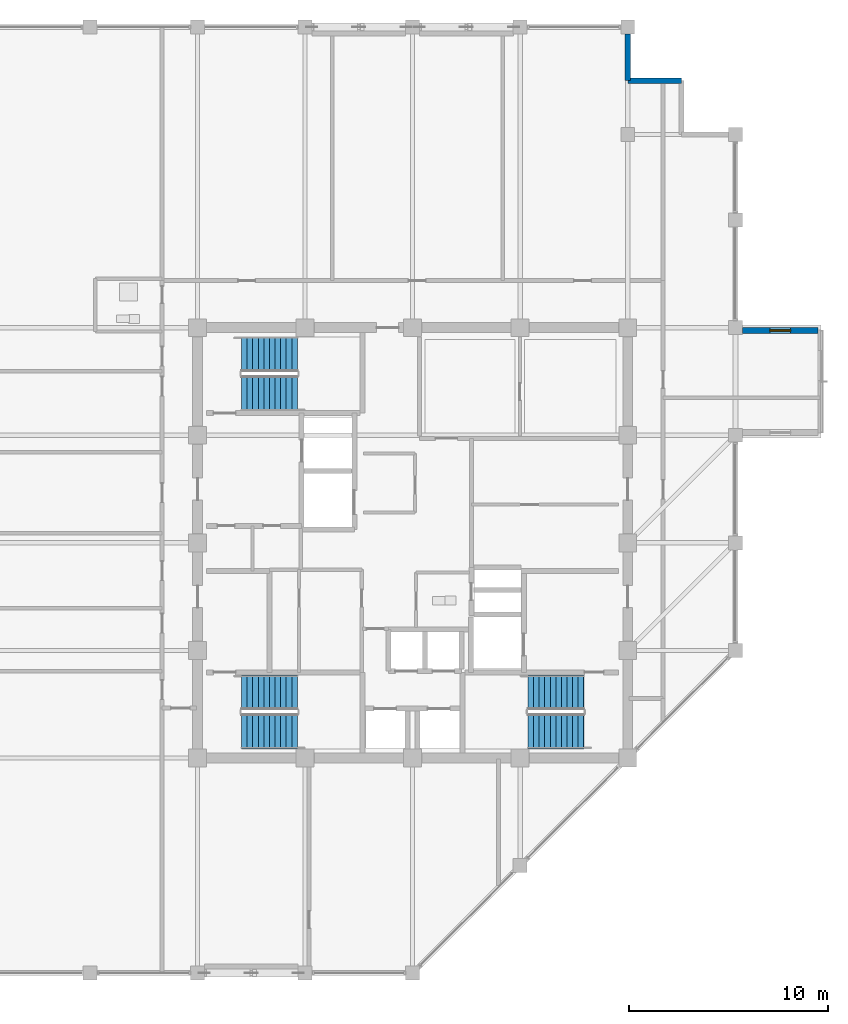
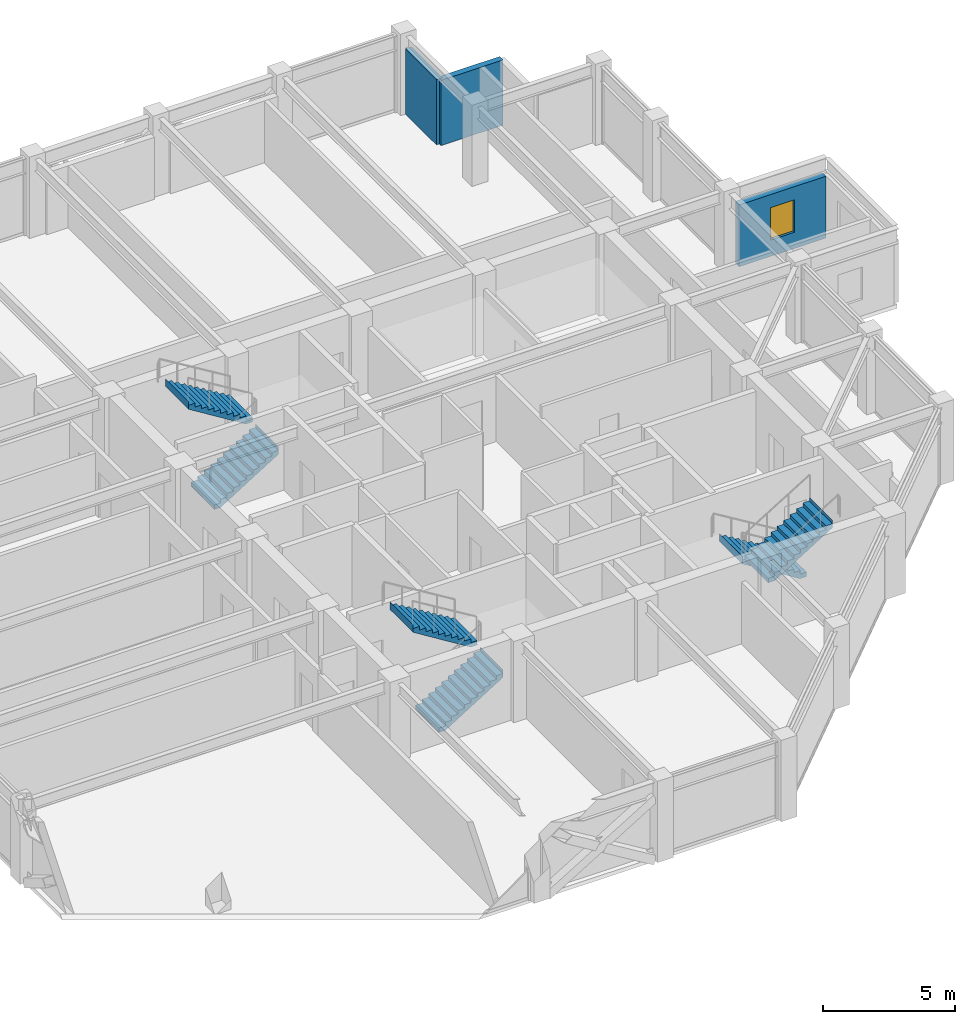
# One storey, part 28 of 31: 6 stair flights, 3 walls, 1 window, 1 opening, 3 elements without a shape of their own.
"""IFC4 building model written with IfcOpenShell, lengths in metres."""

from ifc_helpers import new_model, si_unit, direction, frame, frame_2d, origin, place, context, subcontext, project, spatial, polyline, rectangle, outline, extrude, material, layer, layer_set, type_object, element, fill, aggregate, save


model = new_model("IFC4")

# Units and contexts
model_context = context("Model", 3, precision=1e-05, world=origin(), true_north=direction((0.0, 1.0)))
body_context = subcontext(model_context, "Body", "Model", "MODEL_VIEW")
ifc_project = project(units=[si_unit("LENGTHUNIT", "METRE"), si_unit("AREAUNIT", "SQUARE_METRE"), si_unit("VOLUMEUNIT", "CUBIC_METRE"), si_unit("PLANEANGLEUNIT", "RADIAN"), si_unit("MASSUNIT", "GRAM", prefix="KILO")], contexts=[model_context])

# Site, building, storey
site_placement = place(None, origin())
site = spatial("IfcSite", under=ifc_project, at=site_placement, CompositionType="ELEMENT")
building_placement = place(site_placement, origin())
building = spatial("IfcBuilding", under=site, at=building_placement, Name="Surkhivell Harbour Commons", CompositionType="ELEMENT")
storey_placement = place(building_placement, frame((0.0, 0.0, 266.25)))
storey = spatial("IfcBuildingStorey", under=building, at=storey_placement, Name="L69", CompositionType="ELEMENT", Elevation=266.25)

# Walls
ifc_material_1 = material(Name="Pale-metal insulated precast concrete C45/55", Category="concrete")
ifc_layer_1 = layer(ifc_material_1, 0.260009765625)
ifc_layer_set_1 = layer_set([ifc_layer_1], Name="Pale-metal insulated precast concrete C45/55")
wall_type_1 = type_object("IfcWallType", Name="WAL-EXT-MTL260", PredefinedType="STANDARD", material=ifc_layer_set_1)
wall_1_placement = place(storey_placement, frame((13.5, 23.199951171875, 0.0), z_axis=(0.0, 0.0, 1.0), x_axis=(-1.0, 0.0, 0.0)))
element("IfcWall", 1, at=wall_1_placement, inside=storey, type_object=wall_type_1, Name="L69 Serrated Corner Facade Wall 05", PredefinedType="STANDARD", context=body_context, shape_type="SweptSolid", body=[
    extrude(rectangle(XDim=2.699951171875, YDim=0.260009765625, at=frame_2d((1.35009765625, 0.0))), origin(), (0.0, 0.0, 1.0), 3.012939453125),
])
wall_2_placement = place(storey_placement, frame((10.800048828125, 23.199951171875, 0.0), z_axis=(0.0, 0.0, 1.0), x_axis=(0.0, 1.0, 0.0)))
element("IfcWall", 2, at=wall_2_placement, inside=storey, type_object=wall_type_1, Name="L69 Serrated Corner Facade Wall 06", PredefinedType="STANDARD", context=body_context, shape_type="SweptSolid", body=[
    extrude(rectangle(XDim=2.35205078125, YDim=0.260009765625, at=frame_2d((1.176025390625, 0.0))), origin(), (0.0, 0.0, 1.0), 3.012939453125),
])

# Wall, opening, window
ifc_material_2 = material(Name="Terracotta-clad reinforced concrete C45/55", Category="masonry")
ifc_layer_2 = layer(ifc_material_2, 0.280029296875)
ifc_layer_set_2 = layer_set([ifc_layer_2], Name="Terracotta-clad reinforced concrete C45/55")
wall_type_2 = type_object("IfcWallType", Name="WAL-EXT-TER280", PredefinedType="STANDARD", material=ifc_layer_set_2)
wall_3_placement = place(storey_placement, frame((16.553955078125, 10.659912109375, 0.0), z_axis=(0.0, 0.0, 1.0), x_axis=(1.0, 0.0, 0.0)))
wall_3 = element("IfcWall", 3, at=wall_3_placement, inside=storey, type_object=wall_type_2, Name="L69 Coloured Box Return Wall 01N", PredefinedType="STANDARD", context=body_context, shape_type="SweptSolid", body=[
    extrude(rectangle(XDim=3.80615234375, YDim=0.280029296875, at=frame_2d((1.903076171875, 0.0))), origin(), (0.0, 0.0, 1.0), 2.85693359375),
])
opening_placement = place(wall_3_placement, frame((1.3779296875, 0.0, 0.75)))
opening = element("IfcOpeningElement", 4, at=opening_placement, cuts=wall_3, Name="Opening WN-11", PredefinedType="OPENING", context=body_context, shape_type="SweptSolid", body=[
    extrude(rectangle(XDim=1.050048828125, YDim=1.5, at=frame_2d((0.52490234375, 0.75))), frame((0.0, 0.14990234375, 0.0), z_axis=(0.0, -1.0, 0.0), x_axis=(1.0, 0.0, 0.0)), (0.0, 0.0, 1.0), 0.300048828125),
])
ifc_material_3 = material(Name="Thermal-break aluminium frame and double low-E glazing", Category="aluminium")
window_type = type_object("IfcWindowType", Name="WIN-SER-1050x1500", PartitioningType="SINGLE_PANEL", PredefinedType="WINDOW", material=ifc_material_3)
window_placement = place(opening_placement, origin())
window = element("IfcWindow", 5, at=window_placement, inside=storey, type_object=window_type, Name="L69 Coloured Box Return Window 01N", OverallHeight=1.5, OverallWidth=1.050048828125, PartitioningType="SINGLE_PANEL", PredefinedType="WINDOW", context=body_context, shape_type="SweptSolid", body=[
    extrude(rectangle(XDim=1.050048828125, YDim=1.5, at=frame_2d((0.52490234375, 0.75))), frame((0.0, 0.030029296875, 0.0), z_axis=(0.0, -1.0, 0.0), x_axis=(1.0, 0.0, 0.0)), (0.0, 0.0, 1.0), 0.06005859375),
])
fill(opening, window)

# Stair, stair flights
ifc_material_4 = material(Name="Precast concrete C45/55", Category="concrete")
stair_type = type_object("IfcStairType", Name="STR-DL-375", PredefinedType="HALF_TURN_STAIR", material=ifc_material_4)
stair_1_placement = place(storey_placement, origin())
stair_1 = element("IfcStair", 6, at=stair_1_placement, inside=storey, type_object=stair_type, Name="L69 Core Exit Stair ST1", PredefinedType="HALF_TURN_STAIR")
stair_flight_type = type_object("IfcStairFlightType", Name="STF-DL-375", PredefinedType="STRAIGHT", material=ifc_material_4)
stair_flight_1_placement = place(storey_placement, frame((-8.590087890625, 7.514892578125, 0.0), z_axis=(0.0, 0.0, 1.0), x_axis=(1.0, 0.0, 0.0)))
stair_flight_1 = element("IfcStairFlight", 7, at=stair_flight_1_placement, type_object=stair_flight_type, Name="ST1 flight 1", NumberOfRisers=11, NumberOfTreads=10, PredefinedType="STRAIGHT", RiserHeight=0.170454545, TreadLength=0.28, context=body_context, shape_type="SweptSolid", body=[
    extrude(outline(polyline([(-0.0029296875, -0.034912109375), (-0.0029296875, 0.0), (0.0, 0.0), (0.0, 0.17041015625), (0.280029296875, 0.17041015625), (0.280029296875, 0.3408203125), (0.56005859375, 0.3408203125), (0.56005859375, 0.511474609375), (0.840087890625, 0.511474609375), (0.840087890625, 0.681884765625), (1.1201171875, 0.681884765625), (1.1201171875, 0.852294921875), (1.39990234375, 0.852294921875), (1.39990234375, 1.022705078125), (1.679931640625, 1.022705078125), (1.679931640625, 1.193115234375), (1.9599609375, 1.193115234375), (1.9599609375, 1.363525390625), (2.239990234375, 1.363525390625), (2.239990234375, 1.5341796875), (2.52001953125, 1.5341796875), (2.52001953125, 1.70458984375), (2.800048828125, 1.70458984375), (2.800048828125, 1.875), (2.802978515625, 1.875), (2.802978515625, 1.529052734375), (0.288330078125, -0.034912109375), (-0.0029296875, -0.034912109375)])), frame((0.0, 0.875, 0.0), z_axis=(0.0, -1.0, 0.0), x_axis=(1.0, 0.0, 0.0)), (0.0, 0.0, 1.0), 1.75),
])
stair_flight_2_placement = place(storey_placement, frame((-5.7900390625, 9.465087890625, 1.875), z_axis=(0.0, 0.0, 1.0), x_axis=(-1.0, 0.0, 0.0)))
stair_flight_2 = element("IfcStairFlight", 8, at=stair_flight_2_placement, type_object=stair_flight_type, Name="ST1 flight 2", NumberOfRisers=11, NumberOfTreads=10, PredefinedType="STRAIGHT", RiserHeight=0.170454545, TreadLength=0.28, context=body_context, shape_type="SweptSolid", body=[
    extrude(outline(polyline([(-0.0029296875, -0.034912109375), (-0.0029296875, 0.0), (0.0, 0.0), (0.0, 0.17041015625), (0.280029296875, 0.17041015625), (0.280029296875, 0.3408203125), (0.56005859375, 0.3408203125), (0.56005859375, 0.511474609375), (0.840087890625, 0.511474609375), (0.840087890625, 0.681884765625), (1.1201171875, 0.681884765625), (1.1201171875, 0.852294921875), (1.39990234375, 0.852294921875), (1.39990234375, 1.022705078125), (1.679931640625, 1.022705078125), (1.679931640625, 1.193115234375), (1.9599609375, 1.193115234375), (1.9599609375, 1.363525390625), (2.239990234375, 1.363525390625), (2.239990234375, 1.5341796875), (2.52001953125, 1.5341796875), (2.52001953125, 1.70458984375), (2.800048828125, 1.70458984375), (2.800048828125, 1.875), (2.802978515625, 1.875), (2.802978515625, 1.529052734375), (0.288330078125, -0.034912109375), (-0.0029296875, -0.034912109375)])), frame((0.0, 0.875, 0.0), z_axis=(0.0, -1.0, 0.0), x_axis=(1.0, 0.0, 0.0)), (0.0, 0.0, 1.0), 1.75),
])
aggregate(stair_1, [stair_flight_1, stair_flight_2])

stair_2_placement = place(storey_placement, origin())
stair_2 = element("IfcStair", 9, at=stair_2_placement, inside=storey, type_object=stair_type, Name="L69 Core Exit Stair ST2", PredefinedType="HALF_TURN_STAIR")
stair_flight_3_placement = place(storey_placement, frame((8.590087890625, -7.514892578125, 0.0), z_axis=(0.0, 0.0, 1.0), x_axis=(-1.0, 0.0, 0.0)))
stair_flight_3 = element("IfcStairFlight", 10, at=stair_flight_3_placement, type_object=stair_flight_type, Name="ST2 flight 1", NumberOfRisers=11, NumberOfTreads=10, PredefinedType="STRAIGHT", RiserHeight=0.170454545, TreadLength=0.28, context=body_context, shape_type="SweptSolid", body=[
    extrude(outline(polyline([(-0.0029296875, -0.034912109375), (-0.0029296875, 0.0), (0.0, 0.0), (0.0, 0.17041015625), (0.280029296875, 0.17041015625), (0.280029296875, 0.3408203125), (0.56005859375, 0.3408203125), (0.56005859375, 0.511474609375), (0.840087890625, 0.511474609375), (0.840087890625, 0.681884765625), (1.1201171875, 0.681884765625), (1.1201171875, 0.852294921875), (1.39990234375, 0.852294921875), (1.39990234375, 1.022705078125), (1.679931640625, 1.022705078125), (1.679931640625, 1.193115234375), (1.9599609375, 1.193115234375), (1.9599609375, 1.363525390625), (2.239990234375, 1.363525390625), (2.239990234375, 1.5341796875), (2.52001953125, 1.5341796875), (2.52001953125, 1.70458984375), (2.800048828125, 1.70458984375), (2.800048828125, 1.875), (2.802978515625, 1.875), (2.802978515625, 1.529052734375), (0.288330078125, -0.034912109375), (-0.0029296875, -0.034912109375)])), frame((0.0, 0.875, 0.0), z_axis=(0.0, -1.0, 0.0), x_axis=(1.0, 0.0, 0.0)), (0.0, 0.0, 1.0), 1.75),
])
stair_flight_4_placement = place(storey_placement, frame((5.7900390625, -9.465087890625, 1.875), z_axis=(0.0, 0.0, 1.0), x_axis=(1.0, 0.0, 0.0)))
stair_flight_4 = element("IfcStairFlight", 11, at=stair_flight_4_placement, type_object=stair_flight_type, Name="ST2 flight 2", NumberOfRisers=11, NumberOfTreads=10, PredefinedType="STRAIGHT", RiserHeight=0.170454545, TreadLength=0.28, context=body_context, shape_type="SweptSolid", body=[
    extrude(outline(polyline([(-0.0029296875, -0.034912109375), (-0.0029296875, 0.0), (0.0, 0.0), (0.0, 0.17041015625), (0.280029296875, 0.17041015625), (0.280029296875, 0.3408203125), (0.56005859375, 0.3408203125), (0.56005859375, 0.511474609375), (0.840087890625, 0.511474609375), (0.840087890625, 0.681884765625), (1.1201171875, 0.681884765625), (1.1201171875, 0.852294921875), (1.39990234375, 0.852294921875), (1.39990234375, 1.022705078125), (1.679931640625, 1.022705078125), (1.679931640625, 1.193115234375), (1.9599609375, 1.193115234375), (1.9599609375, 1.363525390625), (2.239990234375, 1.363525390625), (2.239990234375, 1.5341796875), (2.52001953125, 1.5341796875), (2.52001953125, 1.70458984375), (2.800048828125, 1.70458984375), (2.800048828125, 1.875), (2.802978515625, 1.875), (2.802978515625, 1.529052734375), (0.288330078125, -0.034912109375), (-0.0029296875, -0.034912109375)])), frame((0.0, 0.875, 0.0), z_axis=(0.0, -1.0, 0.0), x_axis=(1.0, 0.0, 0.0)), (0.0, 0.0, 1.0), 1.75),
])
aggregate(stair_2, [stair_flight_3, stair_flight_4])

stair_3_placement = place(storey_placement, origin())
stair_3 = element("IfcStair", 12, at=stair_3_placement, inside=storey, type_object=stair_type, Name="L69 Core Exit Stair ST3", PredefinedType="HALF_TURN_STAIR")
stair_flight_5_placement = place(storey_placement, frame((-8.590087890625, -9.465087890625, 0.0), z_axis=(0.0, 0.0, 1.0), x_axis=(1.0, 0.0, 0.0)))
stair_flight_5 = element("IfcStairFlight", 13, at=stair_flight_5_placement, type_object=stair_flight_type, Name="ST3 flight 1", NumberOfRisers=11, NumberOfTreads=10, PredefinedType="STRAIGHT", RiserHeight=0.170454545, TreadLength=0.28, context=body_context, shape_type="SweptSolid", body=[
    extrude(outline(polyline([(-0.0029296875, -0.034912109375), (-0.0029296875, 0.0), (0.0, 0.0), (0.0, 0.17041015625), (0.280029296875, 0.17041015625), (0.280029296875, 0.3408203125), (0.56005859375, 0.3408203125), (0.56005859375, 0.511474609375), (0.840087890625, 0.511474609375), (0.840087890625, 0.681884765625), (1.1201171875, 0.681884765625), (1.1201171875, 0.852294921875), (1.39990234375, 0.852294921875), (1.39990234375, 1.022705078125), (1.679931640625, 1.022705078125), (1.679931640625, 1.193115234375), (1.9599609375, 1.193115234375), (1.9599609375, 1.363525390625), (2.239990234375, 1.363525390625), (2.239990234375, 1.5341796875), (2.52001953125, 1.5341796875), (2.52001953125, 1.70458984375), (2.800048828125, 1.70458984375), (2.800048828125, 1.875), (2.802978515625, 1.875), (2.802978515625, 1.529052734375), (0.288330078125, -0.034912109375), (-0.0029296875, -0.034912109375)])), frame((0.0, 0.875, 0.0), z_axis=(0.0, -1.0, 0.0), x_axis=(1.0, 0.0, 0.0)), (0.0, 0.0, 1.0), 1.75),
])
stair_flight_6_placement = place(storey_placement, frame((-5.7900390625, -7.514892578125, 1.875), z_axis=(0.0, 0.0, 1.0), x_axis=(-1.0, 0.0, 0.0)))
stair_flight_6 = element("IfcStairFlight", 14, at=stair_flight_6_placement, type_object=stair_flight_type, Name="ST3 flight 2", NumberOfRisers=11, NumberOfTreads=10, PredefinedType="STRAIGHT", RiserHeight=0.170454545, TreadLength=0.28, context=body_context, shape_type="SweptSolid", body=[
    extrude(outline(polyline([(-0.0029296875, -0.034912109375), (-0.0029296875, 0.0), (0.0, 0.0), (0.0, 0.17041015625), (0.280029296875, 0.17041015625), (0.280029296875, 0.3408203125), (0.56005859375, 0.3408203125), (0.56005859375, 0.511474609375), (0.840087890625, 0.511474609375), (0.840087890625, 0.681884765625), (1.1201171875, 0.681884765625), (1.1201171875, 0.852294921875), (1.39990234375, 0.852294921875), (1.39990234375, 1.022705078125), (1.679931640625, 1.022705078125), (1.679931640625, 1.193115234375), (1.9599609375, 1.193115234375), (1.9599609375, 1.363525390625), (2.239990234375, 1.363525390625), (2.239990234375, 1.5341796875), (2.52001953125, 1.5341796875), (2.52001953125, 1.70458984375), (2.800048828125, 1.70458984375), (2.800048828125, 1.875), (2.802978515625, 1.875), (2.802978515625, 1.529052734375), (0.288330078125, -0.034912109375), (-0.0029296875, -0.034912109375)])), frame((0.0, 0.875, 0.0), z_axis=(0.0, -1.0, 0.0), x_axis=(1.0, 0.0, 0.0)), (0.0, 0.0, 1.0), 1.75),
])
aggregate(stair_3, [stair_flight_5, stair_flight_6])

save(model, "model.ifc")
